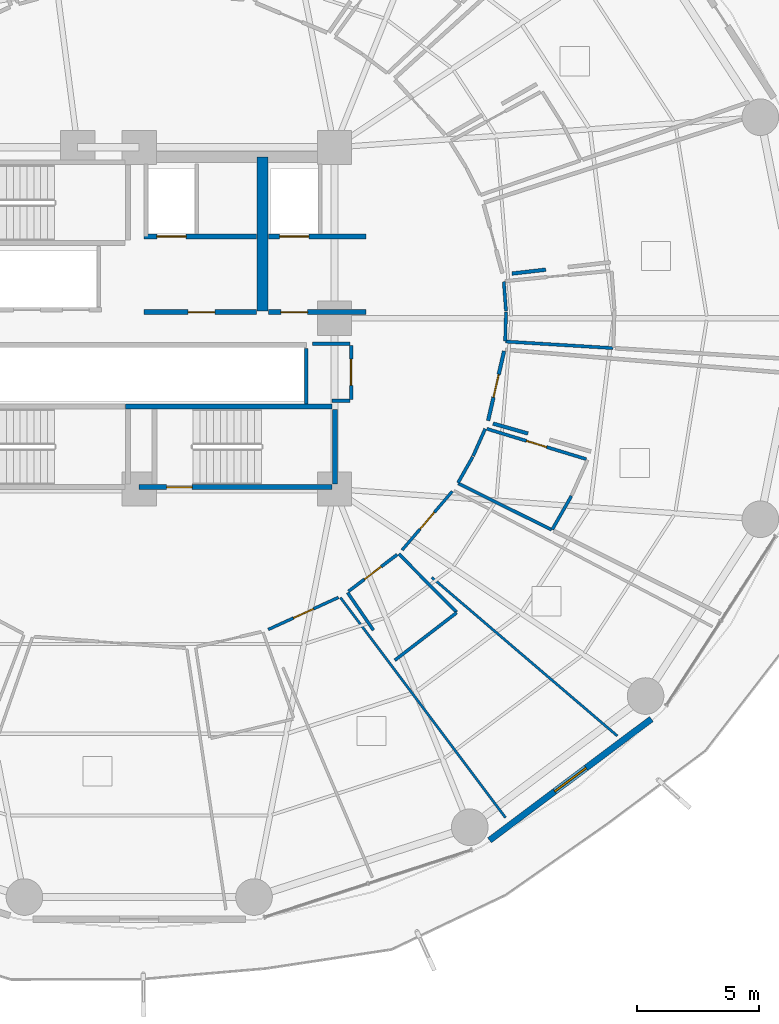
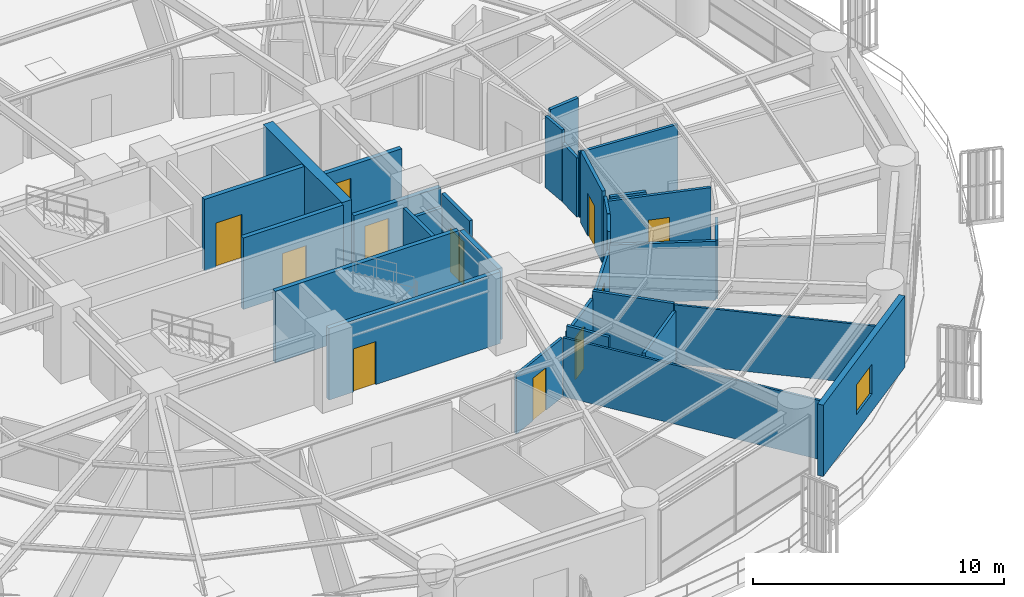
# One storey, part 24 of 32: 32 walls, 11 doors, 1 window, 12 openings.
"""IFC4 building model written with IfcOpenShell, lengths in metres."""

import ifcopenshell
import ifcopenshell.guid

model = None  # the IFC model being written
_history = None  # IfcOwnerHistory: only IFC2X3 demands one
_inside = {}  # id of a spatial element -> (the spatial element, [elements in it])
_under = {}  # id of a project, library or spatial element -> (it, [spatial elements below it])
_declared = {}  # id of a project -> (the project, [libraries it declares])
_typed = {}  # id of a type object -> (the type object, [elements of that type])
_made_of = {}  # id of a material, layer set ... -> (it, [elements and type objects made of it])


def new_model(schema):
    """Start an empty IFC model of exactly this schema.

    Asked for "IFC4X3", IfcOpenShell would pick the latest addendum, in which some entities
    have other attributes; the version numbers below select the first issue.
    IFC2X3 requires an IfcOwnerHistory on every rooted entity: one is made here for all.
    """
    global model, _history
    if schema == "IFC4X3":
        model = ifcopenshell.file(schema_version=(4, 3, 0, 0))
    else:
        model = ifcopenshell.file(schema=schema)
    _inside.clear()
    _under.clear()
    _declared.clear()
    _typed.clear()
    _made_of.clear()
    _history = None
    if model.schema == "IFC2X3":
        org = make("IfcOrganization", Name="unknown")
        user = make(
            "IfcPersonAndOrganization",
            ThePerson=make("IfcPerson", FamilyName="unknown"),
            TheOrganization=org,
        )
        app = make(
            "IfcApplication",
            ApplicationDeveloper=org,
            Version="unknown",
            ApplicationFullName="unknown",
            ApplicationIdentifier="unknown",
        )
        _history = make(
            "IfcOwnerHistory",
            OwningUser=user,
            OwningApplication=app,
            ChangeAction="ADDED",
            CreationDate=0,
        )
    return model


def make(cls, **values):
    """One entity of the class cls with the attributes given. An attribute that is None is left unset."""
    return model.create_entity(
        cls, **{name: value for name, value in values.items() if value is not None}
    )


def rooted(cls, **values):
    """An entity with a GlobalId (a new one), such as an element, a storey or a relation."""
    return make(cls, GlobalId=ifcopenshell.guid.new(), OwnerHistory=_history, **values)


def si_unit(unit_type, name, prefix=None):
    """IfcSIUnit, for example si_unit("LENGTHUNIT", "METRE", prefix="MILLI")."""
    return make("IfcSIUnit", UnitType=unit_type, Prefix=prefix, Name=name)


def assignment(units):
    """IfcUnitAssignment: the units of a project."""
    return None if units is None else make("IfcUnitAssignment", Units=units)


def point(xyz):
    """IfcCartesianPoint."""
    return None if xyz is None else make("IfcCartesianPoint", Coordinates=xyz)


def direction(xyz):
    """IfcDirection."""
    return None if xyz is None else make("IfcDirection", DirectionRatios=xyz)


def frame(location, z_axis=None, x_axis=None):
    """IfcAxis2Placement3D, a coordinate frame: its origin and axes. An axis left out is left unset."""
    return make(
        "IfcAxis2Placement3D",
        Location=point(location),
        Axis=direction(z_axis),
        RefDirection=direction(x_axis),
    )


def frame_2d(location, x_axis=None):
    """IfcAxis2Placement2D, a coordinate frame in the plane: its origin and x axis."""
    return make(
        "IfcAxis2Placement2D", Location=point(location), RefDirection=direction(x_axis)
    )


def origin():
    """The frame at (0, 0, 0) with its axes left unset."""
    return frame((0.0, 0.0, 0.0))


def place(relative_to, where):
    """IfcLocalPlacement: puts the frame where relative to a parent placement (None: the world)."""
    return make(
        "IfcLocalPlacement", PlacementRelTo=relative_to, RelativePlacement=where
    )


def context(
    kind, dimensions, precision=None, world=None, true_north=None, identifier=None
):
    """IfcGeometricRepresentationContext, for example the 3D "Model" context."""
    return make(
        "IfcGeometricRepresentationContext",
        ContextIdentifier=identifier,
        ContextType=kind,
        CoordinateSpaceDimension=dimensions,
        Precision=precision,
        WorldCoordinateSystem=world,
        TrueNorth=true_north,
    )


def subcontext(parent, identifier, kind, view, scale=None):
    """IfcGeometricRepresentationSubContext, for example "Body" below "Model"."""
    return make(
        "IfcGeometricRepresentationSubContext",
        ContextIdentifier=identifier,
        ContextType=kind,
        ParentContext=parent,
        TargetScale=scale,
        TargetView=view,
    )


def project(units=None, contexts=None):
    """IfcProject with its units and contexts."""
    return rooted(
        "IfcProject",
        Name="project",
        RepresentationContexts=contexts,
        UnitsInContext=assignment(units),
    )


def spatial(cls, under=None, at=None, **own):
    """A site, building, storey or space (cls), placed at a placement, below another one or the project."""
    s = rooted(cls, ObjectPlacement=at, **own)
    if under is not None:
        _under.setdefault(under.id(), (under, []))[1].append(s)
    return s


def profile(cls, at=None, kind="AREA", **sizes):
    """A parametric profile (cls). Its sizes go by their IFC names, for example OverallWidth=200.0."""
    return make(cls, ProfileType=kind, Position=at, **sizes)


def rectangle(**sizes):
    """IfcRectangleProfileDef."""
    return profile("IfcRectangleProfileDef", **sizes)


def extrude(swept, where, along, depth):
    """IfcExtrudedAreaSolid: the profile swept, set in the frame where, extruded along a direction by depth."""
    return make(
        "IfcExtrudedAreaSolid",
        SweptArea=swept,
        Position=where,
        ExtrudedDirection=direction(along),
        Depth=depth,
    )


def shape(context_of_items, identifier, shape_type, items):
    """IfcShapeRepresentation: the items that make up one representation, for example the "Body"."""
    return make(
        "IfcShapeRepresentation",
        ContextOfItems=context_of_items,
        RepresentationIdentifier=identifier,
        RepresentationType=shape_type,
        Items=items,
    )


def material(Name=None, Category=None):
    """IfcMaterial."""
    return make("IfcMaterial", Name=Name, Category=Category)


def layer(
    of_material, thickness, ventilated=None, Name=None, Category=None, Priority=None
):
    """IfcMaterialLayer: one layer of a wall or slab, of a material (None: an air gap)."""
    return make(
        "IfcMaterialLayer",
        Material=of_material,
        LayerThickness=thickness,
        IsVentilated=ventilated,
        Name=Name,
        Category=Category,
        Priority=Priority,
    )


def layer_set(layers, Name=None):
    """IfcMaterialLayerSet."""
    return make("IfcMaterialLayerSet", MaterialLayers=layers, LayerSetName=Name)


def made_of(thing, what):
    """Note that an element or type object is made of a material, layer set ...; save() writes the relation."""
    if what is not None:
        _made_of.setdefault(what.id(), (what, []))[1].append(thing)
    return thing


def type_object(cls, material=None, **own):
    """A type object (cls), such as IfcWallType, which elements share."""
    return made_of(rooted(cls, **own), material)


def element(
    cls,
    number,
    at=None,
    inside=None,
    cuts=None,
    type_object=None,
    material=None,
    context=None,
    identifier="Body",
    shape_type=None,
    held_by="IfcProductDefinitionShape",
    body=None,
    shapes=None,
    **own,
):
    """One element of the class cls, such as IfcWall. Its Tag is "e" and its number.

    at: its placement. inside: the storey or other place that contains it. cuts: it is an
    opening in that element (IfcRelVoidsElement). A single representation is given by context,
    identifier, shape_type and body (its items); several are given by shapes. held_by: the class
    of the entity that holds the representations. save() writes the other relations.
    """
    e = rooted(cls, Tag="e%d" % number, ObjectPlacement=at, **own)
    if body is not None:
        shapes = [shape(context, identifier, shape_type, body)]
    if shapes is not None:
        e.Representation = make(held_by, Representations=shapes)
    if inside is not None:
        _inside.setdefault(inside.id(), (inside, []))[1].append(e)
    if cuts is not None:
        rooted(
            "IfcRelVoidsElement", RelatingBuildingElement=cuts, RelatedOpeningElement=e
        )
    if type_object is not None:
        _typed.setdefault(type_object.id(), (type_object, []))[1].append(e)
    return made_of(e, material)


def fill(opening, filler):
    """IfcRelFillsElement: the door or window that sits in an opening."""
    return rooted(
        "IfcRelFillsElement",
        RelatingOpeningElement=opening,
        RelatedBuildingElement=filler,
    )


def aggregate(whole, parts):
    """IfcRelAggregates: a whole, such as a stair, and the parts it consists of."""
    return rooted("IfcRelAggregates", RelatingObject=whole, RelatedObjects=parts)


def save(model, path):
    """Write the relations noted so far, then the file.

    IfcRelAggregates (storeys below a building ...), IfcRelContainedInSpatialStructure (elements
    in a storey), IfcRelDefinesByType, IfcRelAssociatesMaterial and IfcRelDeclares: one each for
    every whole, place, type object, material and project.
    """
    for whole, parts in _under.values():
        aggregate(whole, parts)
    for where, things in _inside.values():
        rooted(
            "IfcRelContainedInSpatialStructure",
            RelatedElements=things,
            RelatingStructure=where,
        )
    for kind, things in _typed.values():
        rooted("IfcRelDefinesByType", RelatedObjects=things, RelatingType=kind)
    for what, things in _made_of.values():
        rooted("IfcRelAssociatesMaterial", RelatedObjects=things, RelatingMaterial=what)
    for by, libraries in _declared.values():
        rooted("IfcRelDeclares", RelatingContext=by, RelatedDefinitions=libraries)
    model.write(path)


model = new_model("IFC4")

# Units and contexts
model_context = context("Model", 3, precision=1e-05, world=origin(), true_north=direction((0.0, 1.0)))
body_context = subcontext(model_context, "Body", "Model", "MODEL_VIEW")
ifc_project = project(units=[si_unit("LENGTHUNIT", "METRE"), si_unit("AREAUNIT", "SQUARE_METRE"), si_unit("VOLUMEUNIT", "CUBIC_METRE"), si_unit("PLANEANGLEUNIT", "RADIAN"), si_unit("MASSUNIT", "GRAM", prefix="KILO")], contexts=[model_context])

# Site, building, storey
site_placement = place(None, origin())
site = spatial("IfcSite", under=ifc_project, at=site_placement, CompositionType="ELEMENT")
building_placement = place(site_placement, origin())
building = spatial("IfcBuilding", under=site, at=building_placement, Name="Kelanora Arch Commons", CompositionType="ELEMENT")
storey_placement = place(building_placement, frame((0.0, 0.0, 56.25)))
storey = spatial("IfcBuildingStorey", under=building, at=storey_placement, Name="L14", CompositionType="ELEMENT", Elevation=56.25)

# Wall
ifc_material_1 = material(Name="Autoclaved aerated concrete blockwork with fire plaster", Category="masonry")
ifc_layer_1 = layer(ifc_material_1, 0.14990234375)
ifc_layer_set_1 = layer_set([ifc_layer_1], Name="Autoclaved aerated concrete blockwork with fire plaster")
wall_type_1 = type_object("IfcWallType", Name="W-COMP-150", PredefinedType="PARTITIONING", material=ifc_layer_set_1)
wall_1_placement = place(storey_placement, frame((80.840087890625, 54.47998046875, 0.0), z_axis=(0.0, 0.0, 1.0), x_axis=(0.0, 1.0, 0.0)))
element("IfcWall", 1, at=wall_1_placement, inside=storey, type_object=wall_type_1, Name="South Lift Bank East Wall L14", PredefinedType="PARTITIONING", context=body_context, shape_type="SweptSolid", body=[
    extrude(rectangle(XDim=2.2900390625, YDim=0.14990234375, at=frame_2d((1.14501953125, 0.0))), origin(), (0.0, 0.0, 1.0), 3.47998046875),
])

# Wall, opening, door
wall_2_placement = place(storey_placement, frame((82.679931640625, 54.679931640625, 0.0), z_axis=(0.0, 0.0, 1.0), x_axis=(0.0, 1.0, 0.0)))
wall_2 = element("IfcWall", 2, at=wall_2_placement, inside=storey, type_object=wall_type_1, Name="Core Housekeeping Store L14 Entry Partition", PredefinedType="PARTITIONING", context=body_context, shape_type="SweptSolid", body=[
    extrude(rectangle(XDim=2.2099609375, YDim=0.14990234375, at=frame_2d((1.10498046875, 0.0))), origin(), (0.0, 0.0, 1.0), 3.47998046875),
])
opening_1_placement = place(wall_2_placement, frame((0.56494140625, 0.0, 0.0)))
opening_1 = element("IfcOpeningElement", 3, at=opening_1_placement, cuts=wall_2, Name="Opening D-PLT1", PredefinedType="OPENING", context=body_context, shape_type="SweptSolid", body=[
    extrude(rectangle(XDim=1.080078125, YDim=2.10009765625, at=frame_2d((0.5400390625, 1.050048828125))), frame((0.0, 0.0849609375, 0.0), z_axis=(0.0, -1.0, 0.0), x_axis=(1.0, 0.0, 0.0)), (0.0, 0.0, 1.0), 0.169921875),
])
ifc_material_2 = material(Name="Galvanised steel plant and riser fire door", Category="steel")
door_type_1 = type_object("IfcDoorType", Name="D-PLT-110", OperationType="NOTDEFINED", PredefinedType="DOOR", material=ifc_material_2)
door_1_placement = place(opening_1_placement, origin())
door_1 = element("IfcDoor", 4, at=door_1_placement, inside=storey, type_object=door_type_1, Name="Core Housekeeping Store L14 Door", OperationType="SINGLE_SWING_RIGHT", OverallHeight=2.10009765625, OverallWidth=1.080078125, PredefinedType="DOOR", context=body_context, shape_type="SweptSolid", body=[
    extrude(rectangle(XDim=1.080078125, YDim=2.10009765625, at=frame_2d((0.5400390625, 1.050048828125))), frame((0.0, 0.02490234375, 0.0), z_axis=(0.0, -1.0, 0.0), x_axis=(1.0, 0.0, 0.0)), (0.0, 0.0, 1.0), 0.050048828125),
])
fill(opening_1, door_1)

wall_3_placement = place(storey_placement, frame((88.29345703125, 53.805419921875, 0.0), z_axis=(0.0, 0.0, 1.0), x_axis=(0.224304671601, 0.974519068206, 0.0)))
wall_3 = element("IfcWall", 5, at=wall_3_placement, inside=storey, type_object=wall_type_1, Name="Co-Living Studio L14-13 Entry Partition", PredefinedType="PARTITIONING", context=body_context, shape_type="SweptSolid", body=[
    extrude(rectangle(XDim=2.924560546875, YDim=0.14990234375, at=frame_2d((1.46240234375, 0.0))), origin(), (0.0, 0.0, 1.0), 3.47998046875),
])
opening_2_placement = place(wall_3_placement, frame((0.987060546875, 0.0, 0.0)))
opening_2 = element("IfcOpeningElement", 6, at=opening_2_placement, cuts=wall_3, Name="Opening D-CLU1", PredefinedType="OPENING", context=body_context, shape_type="SweptSolid", body=[
    extrude(rectangle(XDim=0.949951171875, YDim=2.080078125, at=frame_2d((0.47509765625, 1.0400390625))), frame((0.0, 0.0849609375, 0.0), z_axis=(0.0, -1.0, 0.0), x_axis=(1.0, 0.0, 0.0)), (0.0, 0.0, 1.0), 0.169921875),
])
ifc_material_3 = material(Name="Solid-core acoustic timber cluster entry fire door", Category="wood")
door_type_2 = type_object("IfcDoorType", Name="D-CLU-95", OperationType="NOTDEFINED", PredefinedType="DOOR", material=ifc_material_3)
door_2_placement = place(opening_2_placement, origin())
door_2 = element("IfcDoor", 7, at=door_2_placement, inside=storey, type_object=door_type_2, Name="Co-Living Studio L14-13 Door", OperationType="SINGLE_SWING_RIGHT", OverallHeight=2.080078125, OverallWidth=0.949951171875, PredefinedType="DOOR", context=body_context, shape_type="SweptSolid", body=[
    extrude(rectangle(XDim=0.949951171875, YDim=2.080078125, at=frame_2d((0.47509765625, 1.0400390625))), frame((0.0, 0.02490234375, 0.0), z_axis=(0.0, -1.0, 0.0), x_axis=(1.0, 0.0, 0.0)), (0.0, 0.0, 1.0), 0.050048828125),
])
fill(opening_2, door_2)

# Walls
wall_4_placement = place(storey_placement, frame((81.89990234375, 54.6201171875, 0.0), z_axis=(0.0, 0.0, 1.0), x_axis=(1.0, 0.0, 0.0)))
element("IfcWall", 8, at=wall_4_placement, inside=storey, type_object=wall_type_1, Name="Core Housekeeping Store L14 Enclosure Partition 1", PredefinedType="PARTITIONING", context=body_context, shape_type="SweptSolid", body=[
    extrude(rectangle(XDim=0.739990234375, YDim=0.14990234375, at=frame_2d((0.3701171875, 0.0))), origin(), (0.0, 0.0, 1.0), 2.77490234375),
])
wall_5_placement = place(storey_placement, frame((82.639892578125, 56.949951171875, 0.0), z_axis=(0.0, 0.0, 1.0), x_axis=(-1.0, 0.0, 0.0)))
element("IfcWall", 9, at=wall_5_placement, inside=storey, type_object=wall_type_1, Name="Core Housekeeping Store L14 Enclosure Partition 3", PredefinedType="PARTITIONING", context=body_context, shape_type="SweptSolid", body=[
    extrude(rectangle(XDim=1.5498046875, YDim=0.14990234375, at=frame_2d((0.77490234375, 0.0))), origin(), (0.0, 0.0, 1.0), 2.77490234375),
])
wall_6_placement = place(storey_placement, frame((89.927978515625, 53.275634765625, 0.0), z_axis=(0.0, 0.0, 1.0), x_axis=(-0.961462019825, 0.27493778284, 0.0)))
element("IfcWall", 10, at=wall_6_placement, inside=storey, type_object=wall_type_1, Name="Co-Living Studio L14-13 Enclosure Partition 7", PredefinedType="PARTITIONING", context=body_context, shape_type="SweptSolid", body=[
    extrude(rectangle(XDim=1.48828125, YDim=0.14990234375, at=frame_2d((0.744140625, 0.0))), origin(), (0.0, 0.0, 1.0), 3.235107421875),
])
wall_7_placement = place(storey_placement, frame((90.65625, 59.9892578125, 0.0), z_axis=(0.0, 0.0, 1.0), x_axis=(-0.99343576075, -0.114391386311, 0.0)))
element("IfcWall", 11, at=wall_7_placement, inside=storey, type_object=wall_type_1, Name="Co-Living Studio L14-14 Enclosure Partition 7", PredefinedType="PARTITIONING", context=body_context, shape_type="SweptSolid", body=[
    extrude(rectangle(XDim=1.3935546875, YDim=0.14990234375, at=frame_2d((0.69677734375, 0.0))), origin(), (0.0, 0.0, 1.0), 3.47998046875),
])
ifc_material_4 = material(Name="Concrete C60/75", Category="concrete")
ifc_layer_2 = layer(ifc_material_4, 0.449951171875)
ifc_layer_set_2 = layer_set([ifc_layer_2], Name="Concrete C60/75")
wall_type_2 = type_object("IfcWallType", Name="W-CORE-450", PredefinedType="SHEAR", material=ifc_layer_set_2)
wall_8_placement = place(storey_placement, frame((79.050048828125, 58.300048828125, 0.0), z_axis=(0.0, 0.0, 1.0), x_axis=(0.0, 1.0, 0.0)))
element("IfcWall", 12, at=wall_8_placement, inside=storey, type_object=wall_type_2, Name="Core Shear Spine L14-CE-N", PredefinedType="SHEAR", context=body_context, shape_type="SweptSolid", body=[
    extrude(rectangle(XDim=6.300048828125, YDim=0.449951171875, at=frame_2d((3.14990234375, 0.0))), origin(), (0.0, 0.0, 1.0), 3.489990234375),
])

# Wall, opening, window
ifc_material_5 = material(Name="Precast concrete C40/50 with terracotta rainscreen", Category="masonry")
ifc_layer_3 = layer(ifc_material_5, 0.260009765625)
ifc_layer_set_3 = layer_set([ifc_layer_3], Name="Precast concrete C40/50 with terracotta rainscreen")
wall_type_3 = type_object("IfcWallType", Name="W-EXT-TC", PredefinedType="SOLIDWALL", material=ifc_layer_set_3)
wall_9_placement = place(storey_placement, frame((88.348876953125, 36.61083984375, 0.0), z_axis=(0.0, 0.0, 1.0), x_axis=(0.80030733173, 0.599590005569, 0.0)))
wall_9 = element("IfcWall", 13, at=wall_9_placement, inside=storey, type_object=wall_type_3, Name="Terracotta Exterior Wall L14-B15", PredefinedType="SOLIDWALL", context=body_context, shape_type="SweptSolid", body=[
    extrude(rectangle(XDim=8.29052734375, YDim=0.260009765625, at=frame_2d((4.145263671875, 0.0))), origin(), (0.0, 0.0, 1.0), 3.47509765625),
])
opening_3_placement = place(wall_9_placement, frame((3.344970703125, 0.0, 0.85009765625)))
opening_3 = element("IfcOpeningElement", 14, at=opening_3_placement, cuts=wall_9, Name="Opening WN-01", PredefinedType="OPENING", context=body_context, shape_type="SweptSolid", body=[
    extrude(rectangle(XDim=1.60009765625, YDim=1.449951171875, at=frame_2d((0.800048828125, 0.72509765625))), frame((0.0, 0.14013671875, 0.0), z_axis=(0.0, -1.0, 0.0), x_axis=(1.0, 0.0, 0.0)), (0.0, 0.0, 1.0), 0.280029296875),
])
ifc_material_6 = material(Name="Terracotta-anodised aluminium frame with operable low-E glazing", Category="masonry")
window_type = type_object("IfcWindowType", Name="WIN-CL-18", PartitioningType="DOUBLE_PANEL_VERTICAL", PredefinedType="WINDOW", material=ifc_material_6)
window_placement = place(opening_3_placement, origin())
window = element("IfcWindow", 15, at=window_placement, inside=storey, type_object=window_type, Name="Co-Living Operable Window L14-B15", OverallHeight=1.449951171875, OverallWidth=1.60009765625, PartitioningType="SINGLE_PANEL", PredefinedType="WINDOW", context=body_context, shape_type="SweptSolid", body=[
    extrude(rectangle(XDim=1.60009765625, YDim=1.449951171875, at=frame_2d((0.800048828125, 0.72509765625))), frame((0.0, 0.030029296875, 0.0), z_axis=(0.0, -1.0, 0.0), x_axis=(1.0, 0.0, 0.0)), (0.0, 0.0, 1.0), 0.06005859375),
])
fill(opening_3, window)

# Wall, opening, door
ifc_material_7 = material(Name="Concrete C40/50", Category="concrete")
ifc_layer_4 = layer(ifc_material_7, 0.199951171875)
ifc_layer_set_4 = layer_set([ifc_layer_4], Name="Concrete C40/50")
wall_type_4 = type_object("IfcWallType", Name="W-FFL-200", PredefinedType="SOLIDWALL", material=ifc_layer_set_4)
wall_10_placement = place(storey_placement, frame((74.199951171875, 61.35009765625, 0.0), z_axis=(0.0, 0.0, 1.0), x_axis=(1.0, 0.0, 0.0)))
wall_10 = element("IfcWall", 16, at=wall_10_placement, inside=storey, type_object=wall_type_4, Name="Firefighting Lift 1 Shaft Front L14", PredefinedType="SOLIDWALL", context=body_context, shape_type="SweptSolid", body=[
    extrude(rectangle(XDim=4.60009765625, YDim=0.199951171875, at=frame_2d((2.300048828125, 0.0))), origin(), (0.0, 0.0, 1.0), 3.47998046875),
])
opening_4_placement = place(wall_10_placement, frame((0.52001953125, 0.0, 0.0)))
opening_4 = element("IfcOpeningElement", 17, at=opening_4_placement, cuts=wall_10, Name="Opening LD-FF", PredefinedType="OPENING", context=body_context, shape_type="SweptSolid", body=[
    extrude(rectangle(XDim=1.199951171875, YDim=2.14990234375, at=frame_2d((0.60009765625, 1.074951171875))), frame((0.0, 0.10986328125, 0.0), z_axis=(0.0, -1.0, 0.0), x_axis=(1.0, 0.0, 0.0)), (0.0, 0.0, 1.0), 0.219970703125),
])
ifc_material_8 = material(Name="Fire-rated firefighters lift sliding landing door")
door_type_3 = type_object("IfcDoorType", Name="D-LIFT-FF", OperationType="NOTDEFINED", PredefinedType="DOOR", material=ifc_material_8)
door_3_placement = place(opening_4_placement, origin())
door_3 = element("IfcDoor", 18, at=door_3_placement, inside=storey, type_object=door_type_3, Name="Firefighting Lift LF-FF1 Landing Door L14", OperationType="DOUBLE_DOOR_SLIDING", OverallHeight=2.14990234375, OverallWidth=1.199951171875, PredefinedType="DOOR", context=body_context, shape_type="SweptSolid", body=[
    extrude(rectangle(XDim=1.199951171875, YDim=2.14990234375, at=frame_2d((0.60009765625, 1.074951171875))), frame((0.0, 0.02490234375, 0.0), z_axis=(0.0, -1.0, 0.0), x_axis=(1.0, 0.0, 0.0)), (0.0, 0.0, 1.0), 0.050048828125),
])
fill(opening_4, door_3)

wall_11_placement = place(storey_placement, frame((79.300048828125, 61.35009765625, 0.0), z_axis=(0.0, 0.0, 1.0), x_axis=(1.0, 0.0, 0.0)))
wall_11 = element("IfcWall", 19, at=wall_11_placement, inside=storey, type_object=wall_type_4, Name="Firefighting Lift 2 Shaft Front L14", PredefinedType="SOLIDWALL", context=body_context, shape_type="SweptSolid", body=[
    extrude(rectangle(XDim=4.0, YDim=0.199951171875, at=frame_2d((2.0, 0.0))), origin(), (0.0, 0.0, 1.0), 2.77490234375),
])
opening_5_placement = place(wall_11_placement, frame((0.449951171875, 0.0, 0.0)))
opening_5 = element("IfcOpeningElement", 20, at=opening_5_placement, cuts=wall_11, Name="Opening LD-FF", PredefinedType="OPENING", context=body_context, shape_type="SweptSolid", body=[
    extrude(rectangle(XDim=1.199951171875, YDim=2.14990234375, at=frame_2d((0.60009765625, 1.074951171875))), frame((0.0, 0.10986328125, 0.0), z_axis=(0.0, -1.0, 0.0), x_axis=(1.0, 0.0, 0.0)), (0.0, 0.0, 1.0), 0.219970703125),
])
door_4_placement = place(opening_5_placement, origin())
door_4 = element("IfcDoor", 21, at=door_4_placement, inside=storey, type_object=door_type_3, Name="Firefighting Lift LF-FF2 Landing Door L14", OperationType="DOUBLE_DOOR_SLIDING", OverallHeight=2.14990234375, OverallWidth=1.199951171875, PredefinedType="DOOR", context=body_context, shape_type="SweptSolid", body=[
    extrude(rectangle(XDim=1.199951171875, YDim=2.14990234375, at=frame_2d((0.60009765625, 1.074951171875))), frame((0.0, 0.02490234375, 0.0), z_axis=(0.0, -1.0, 0.0), x_axis=(1.0, 0.0, 0.0)), (0.0, 0.0, 1.0), 0.050048828125),
])
fill(opening_5, door_4)

wall_12_placement = place(storey_placement, frame((74.199951171875, 58.25, 0.0), z_axis=(0.0, 0.0, 1.0), x_axis=(1.0, 0.0, 0.0)))
wall_12 = element("IfcWall", 22, at=wall_12_placement, inside=storey, type_object=wall_type_4, Name="Firefighting Lobby 1 Enclosure Wall L14", PredefinedType="SOLIDWALL", context=body_context, shape_type="SweptSolid", body=[
    extrude(rectangle(XDim=4.60009765625, YDim=0.199951171875, at=frame_2d((2.300048828125, 0.0))), origin(), (0.0, 0.0, 1.0), 3.47998046875),
])
opening_6_placement = place(wall_12_placement, frame((1.800048828125, 0.0, 0.0)))
opening_6 = element("IfcOpeningElement", 23, at=opening_6_placement, cuts=wall_12, Name="Opening D-FFL1", PredefinedType="OPENING", context=body_context, shape_type="SweptSolid", body=[
    extrude(rectangle(XDim=1.10009765625, YDim=2.10009765625, at=frame_2d((0.550048828125, 1.050048828125))), frame((0.0, 0.10986328125, 0.0), z_axis=(0.0, -1.0, 0.0), x_axis=(1.0, 0.0, 0.0)), (0.0, 0.0, 1.0), 0.219970703125),
])
ifc_material_9 = material(Name="Smoke-sealed firefighting lobby fire door")
door_type_4 = type_object("IfcDoorType", Name="D-FFL-110", OperationType="NOTDEFINED", PredefinedType="DOOR", material=ifc_material_9)
door_5_placement = place(opening_6_placement, frame((1.10009765625, 0.0, 0.0), z_axis=(0.0, 0.0, 1.0), x_axis=(-1.0, 0.0, 0.0)))
door_5 = element("IfcDoor", 24, at=door_5_placement, inside=storey, type_object=door_type_4, Name="Firefighting Lobby 1 Door L14", OperationType="SINGLE_SWING_LEFT", OverallHeight=2.10009765625, OverallWidth=1.10009765625, PredefinedType="DOOR", context=body_context, shape_type="SweptSolid", body=[
    extrude(rectangle(XDim=1.10009765625, YDim=2.10009765625, at=frame_2d((0.550048828125, 1.050048828125))), frame((0.0, 0.02490234375, 0.0), z_axis=(0.0, -1.0, 0.0), x_axis=(1.0, 0.0, 0.0)), (0.0, 0.0, 1.0), 0.050048828125),
])
fill(opening_6, door_5)

wall_13_placement = place(storey_placement, frame((79.300048828125, 58.25, 0.0), z_axis=(0.0, 0.0, 1.0), x_axis=(1.0, 0.0, 0.0)))
wall_13 = element("IfcWall", 25, at=wall_13_placement, inside=storey, type_object=wall_type_4, Name="Firefighting Lobby 2 Enclosure Wall L14", PredefinedType="SOLIDWALL", context=body_context, shape_type="SweptSolid", body=[
    extrude(rectangle(XDim=4.0, YDim=0.199951171875, at=frame_2d((2.0, 0.0))), origin(), (0.0, 0.0, 1.0), 2.77490234375),
])
opening_7_placement = place(wall_13_placement, frame((0.5, 0.0, 0.0)))
opening_7 = element("IfcOpeningElement", 26, at=opening_7_placement, cuts=wall_13, Name="Opening D-FFL1", PredefinedType="OPENING", context=body_context, shape_type="SweptSolid", body=[
    extrude(rectangle(XDim=1.10009765625, YDim=2.10009765625, at=frame_2d((0.550048828125, 1.050048828125))), frame((0.0, 0.10986328125, 0.0), z_axis=(0.0, -1.0, 0.0), x_axis=(1.0, 0.0, 0.0)), (0.0, 0.0, 1.0), 0.219970703125),
])
door_6_placement = place(opening_7_placement, frame((1.10009765625, 0.0, 0.0), z_axis=(0.0, 0.0, 1.0), x_axis=(-1.0, 0.0, 0.0)))
door_6 = element("IfcDoor", 27, at=door_6_placement, inside=storey, type_object=door_type_4, Name="Firefighting Lobby 2 Door L14", OperationType="SINGLE_SWING_RIGHT", OverallHeight=2.10009765625, OverallWidth=1.10009765625, PredefinedType="DOOR", context=body_context, shape_type="SweptSolid", body=[
    extrude(rectangle(XDim=1.10009765625, YDim=2.10009765625, at=frame_2d((0.550048828125, 1.050048828125))), frame((0.0, 0.02490234375, 0.0), z_axis=(0.0, -1.0, 0.0), x_axis=(1.0, 0.0, 0.0)), (0.0, 0.0, 1.0), 0.050048828125),
])
fill(opening_7, door_6)

# Walls
ifc_material_10 = material(Name="Lightweight fire-rated acoustic stud partition")
ifc_layer_5 = layer(ifc_material_10, 0.10009765625)
ifc_layer_set_5 = layer_set([ifc_layer_5], Name="Lightweight fire-rated acoustic stud partition")
wall_type_5 = type_object("IfcWallType", Name="W-PART-100", PredefinedType="PARTITIONING", material=ifc_layer_set_5)
wall_14_placement = place(storey_placement, frame((82.243896484375, 46.556884765625, 0.0), z_axis=(0.0, 0.0, 1.0), x_axis=(0.599892569248, -0.800080561794, 0.0)))
element("IfcWall", 28, at=wall_14_placement, inside=storey, type_object=wall_type_5, Name="Quiet Reading Carrel L14-11 Enclosure Partition 2", PredefinedType="PARTITIONING", context=body_context, shape_type="SweptSolid", body=[
    extrude(rectangle(XDim=11.2724609375, YDim=0.10009765625, at=frame_2d((5.63623046875, 0.0))), origin(), (0.0, 0.0, 1.0), 2.875),
])
wall_15_placement = place(storey_placement, frame((93.588623046875, 40.885009765625, 0.0), z_axis=(0.0, 0.0, 1.0), x_axis=(-0.760200523841, 0.649688512713, 0.0)))
element("IfcWall", 29, at=wall_15_placement, inside=storey, type_object=wall_type_5, Name="Tutorial Study Alcove L14-12 Enclosure Partition 4", PredefinedType="PARTITIONING", context=body_context, shape_type="SweptSolid", body=[
    extrude(rectangle(XDim=9.99658203125, YDim=0.10009765625, at=frame_2d((4.998291015625, 0.0))), origin(), (0.0, 0.0, 1.0), 2.875),
])

# Wall, opening, door
ifc_material_11 = material(Name="Acoustic twin-stud fire-rated gypsum partition")
ifc_layer_6 = layer(ifc_material_11, 0.1201171875)
ifc_layer_set_6 = layer_set([ifc_layer_6], Name="Acoustic twin-stud fire-rated gypsum partition")
wall_type_6 = type_object("IfcWallType", Name="W-PART-120", PredefinedType="PARTITIONING", material=ifc_layer_set_6)
wall_16_placement = place(storey_placement, frame((79.28759765625, 45.248046875, 0.0), z_axis=(0.0, 0.0, 1.0), x_axis=(0.909426123825, 0.415865513483, 0.0)))
wall_16 = element("IfcWall", 30, at=wall_16_placement, inside=storey, type_object=wall_type_6, Name="Quiet Reading Carrel L14-11 Entry Partition", PredefinedType="PARTITIONING", context=body_context, shape_type="SweptSolid", body=[
    extrude(rectangle(XDim=3.164306640625, YDim=0.1201171875, at=frame_2d((1.58203125, 0.0))), origin(), (0.0, 0.0, 1.0), 2.875),
])
opening_8_placement = place(wall_16_placement, frame((1.132080078125, 0.0, 0.0)))
opening_8 = element("IfcOpeningElement", 31, at=opening_8_placement, cuts=wall_16, Name="Opening D-RM1", PredefinedType="OPENING", context=body_context, shape_type="SweptSolid", body=[
    extrude(rectangle(XDim=0.89990234375, YDim=2.080078125, at=frame_2d((0.449951171875, 1.0400390625))), frame((0.0, 0.070068359375, 0.0), z_axis=(0.0, -1.0, 0.0), x_axis=(1.0, 0.0, 0.0)), (0.0, 0.0, 1.0), 0.14013671875),
])
ifc_material_12 = material(Name="Acoustic fire-rated timber study and lounge door", Category="wood")
door_type_5 = type_object("IfcDoorType", Name="D-ROOM-90", OperationType="NOTDEFINED", PredefinedType="DOOR", material=ifc_material_12)
door_7_placement = place(opening_8_placement, origin())
door_7 = element("IfcDoor", 32, at=door_7_placement, inside=storey, type_object=door_type_5, Name="Quiet Reading Carrel L14-11 Door", OperationType="SINGLE_SWING_RIGHT", OverallHeight=2.080078125, OverallWidth=0.89990234375, PredefinedType="DOOR", context=body_context, shape_type="SweptSolid", body=[
    extrude(rectangle(XDim=0.89990234375, YDim=2.080078125, at=frame_2d((0.449951171875, 1.0400390625))), frame((0.0, 0.02490234375, 0.0), z_axis=(0.0, -1.0, 0.0), x_axis=(1.0, 0.0, 0.0)), (0.0, 0.0, 1.0), 0.050048828125),
])
fill(opening_8, door_7)

wall_17_placement = place(storey_placement, frame((84.76904296875, 48.501708984375, 0.0), z_axis=(0.0, 0.0, 1.0), x_axis=(0.649870238328, 0.760045178483, 0.0)))
wall_17 = element("IfcWall", 33, at=wall_17_placement, inside=storey, type_object=wall_type_6, Name="Tutorial Study Alcove L14-12 Entry Partition", PredefinedType="PARTITIONING", context=body_context, shape_type="SweptSolid", body=[
    extrude(rectangle(XDim=3.16650390625, YDim=0.1201171875, at=frame_2d((1.583251953125, 0.0))), origin(), (0.0, 0.0, 1.0), 2.875),
])
opening_9_placement = place(wall_17_placement, frame((1.133056640625, 0.0, 0.0)))
opening_9 = element("IfcOpeningElement", 34, at=opening_9_placement, cuts=wall_17, Name="Opening D-RM1", PredefinedType="OPENING", context=body_context, shape_type="SweptSolid", body=[
    extrude(rectangle(XDim=0.89990234375, YDim=2.080078125, at=frame_2d((0.449951171875, 1.0400390625))), frame((0.0, 0.070068359375, 0.0), z_axis=(0.0, -1.0, 0.0), x_axis=(1.0, 0.0, 0.0)), (0.0, 0.0, 1.0), 0.14013671875),
])
door_8_placement = place(opening_9_placement, origin())
door_8 = element("IfcDoor", 35, at=door_8_placement, inside=storey, type_object=door_type_5, Name="Tutorial Study Alcove L14-12 Door", OperationType="SINGLE_SWING_RIGHT", OverallHeight=2.080078125, OverallWidth=0.89990234375, PredefinedType="DOOR", context=body_context, shape_type="SweptSolid", body=[
    extrude(rectangle(XDim=0.89990234375, YDim=2.080078125, at=frame_2d((0.449951171875, 1.0400390625))), frame((0.0, 0.02490234375, 0.0), z_axis=(0.0, -1.0, 0.0), x_axis=(1.0, 0.0, 0.0)), (0.0, 0.0, 1.0), 0.050048828125),
])
fill(opening_9, door_8)

ifc_layer_7 = layer(ifc_material_7, 0.199951171875)
ifc_layer_set_7 = layer_set([ifc_layer_7], Name="Concrete C40/50")
wall_type_7 = type_object("IfcWallType", Name="W-STAIR-200", PredefinedType="SHEAR", material=ifc_layer_set_7)
wall_18_placement = place(storey_placement, frame((74.0, 51.080078125, 0.0), z_axis=(0.0, 0.0, 1.0), x_axis=(1.0, 0.0, 0.0)))
wall_18 = element("IfcWall", 36, at=wall_18_placement, inside=storey, type_object=wall_type_7, Name="Stair ST-T2 Shaft Wall S L14", PredefinedType="SHEAR", context=body_context, shape_type="SweptSolid", body=[
    extrude(rectangle(XDim=7.89990234375, YDim=0.199951171875, at=frame_2d((3.949951171875, 0.0))), origin(), (0.0, 0.0, 1.0), 3.489990234375),
])
opening_10_placement = place(wall_18_placement, frame((1.1201171875, 0.0, 0.0)))
opening_10 = element("IfcOpeningElement", 37, at=opening_10_placement, cuts=wall_18, Name="Opening D-ST1", PredefinedType="OPENING", context=body_context, shape_type="SweptSolid", body=[
    extrude(rectangle(XDim=1.050048828125, YDim=2.10009765625, at=frame_2d((0.52490234375, 1.050048828125))), frame((0.0, 0.10986328125, 0.0), z_axis=(0.0, -1.0, 0.0), x_axis=(1.0, 0.0, 0.0)), (0.0, 0.0, 1.0), 0.219970703125),
])
ifc_material_13 = material(Name="Steel fire-rated stairwell escape door", Category="steel")
door_type_6 = type_object("IfcDoorType", Name="D-STAIR-110", OperationType="NOTDEFINED", PredefinedType="DOOR", material=ifc_material_13)
door_9_placement = place(opening_10_placement, origin())
door_9 = element("IfcDoor", 38, at=door_9_placement, inside=storey, type_object=door_type_6, Name="Stair ST-T2 Escape Door L14", OperationType="SINGLE_SWING_LEFT", OverallHeight=2.10009765625, OverallWidth=1.050048828125, PredefinedType="DOOR", context=body_context, shape_type="SweptSolid", body=[
    extrude(rectangle(XDim=1.050048828125, YDim=2.10009765625, at=frame_2d((0.52490234375, 1.050048828125))), frame((0.0, 0.02490234375, 0.0), z_axis=(0.0, -1.0, 0.0), x_axis=(1.0, 0.0, 0.0)), (0.0, 0.0, 1.0), 0.050048828125),
])
fill(opening_10, door_9)

# Walls
wall_19_placement = place(storey_placement, frame((82.02001953125, 51.199951171875, 0.0), z_axis=(0.0, 0.0, 1.0), x_axis=(0.0, 1.0, 0.0)))
element("IfcWall", 39, at=wall_19_placement, inside=storey, type_object=wall_type_7, Name="Stair ST-T2 Shaft Wall E L14", PredefinedType="SHEAR", context=body_context, shape_type="SweptSolid", body=[
    extrude(rectangle(XDim=3.070068359375, YDim=0.199951171875, at=frame_2d((1.53515625, 0.0))), origin(), (0.0, 0.0, 1.0), 3.489990234375),
])
wall_20_placement = place(storey_placement, frame((81.89990234375, 54.389892578125, 0.0), z_axis=(0.0, 0.0, 1.0), x_axis=(-1.0, 0.0, 0.0)))
element("IfcWall", 40, at=wall_20_placement, inside=storey, type_object=wall_type_7, Name="Stair ST-T2 Shaft Wall N L14", PredefinedType="SHEAR", context=body_context, shape_type="SweptSolid", body=[
    extrude(rectangle(XDim=8.4599609375, YDim=0.199951171875, at=frame_2d((4.22998046875, 0.0))), origin(), (0.0, 0.0, 1.0), 3.489990234375),
])

# Wall, opening, door
ifc_material_14 = material(Name="Moisture-resistant fire-rated cement-board plumbing wall")
ifc_layer_8 = layer(ifc_material_14, 0.1298828125)
ifc_layer_set_8 = layer_set([ifc_layer_8], Name="Moisture-resistant fire-rated cement-board plumbing wall")
wall_type_8 = type_object("IfcWallType", Name="W-WET-120", PredefinedType="PLUMBINGWALL", material=ifc_layer_set_8)
wall_21_placement = place(storey_placement, frame((82.572998046875, 46.81103515625, 0.0), z_axis=(0.0, 0.0, 1.0), x_axis=(0.7983589592, 0.602181843188, 0.0)))
wall_21 = element("IfcWall", 41, at=wall_21_placement, inside=storey, type_object=wall_type_8, Name="Accessible Shared Floor WC L14-12 Entry Partition", PredefinedType="PLUMBINGWALL", context=body_context, shape_type="SweptSolid", body=[
    extrude(rectangle(XDim=2.50390625, YDim=0.1298828125, at=frame_2d((1.251953125, 0.0))), origin(), (0.0, 0.0, 1.0), 2.875),
])
opening_11_placement = place(wall_21_placement, frame((0.822021484375, 0.0, 0.0)))
opening_11 = element("IfcOpeningElement", 42, at=opening_11_placement, cuts=wall_21, Name="Opening D-BT1", PredefinedType="OPENING", context=body_context, shape_type="SweptSolid", body=[
    extrude(rectangle(XDim=0.860107421875, YDim=2.050048828125, at=frame_2d((0.43017578125, 1.02490234375))), frame((0.0, 0.074951171875, 0.0), z_axis=(0.0, -1.0, 0.0), x_axis=(1.0, 0.0, 0.0)), (0.0, 0.0, 1.0), 0.14990234375),
])
ifc_material_15 = material(Name="Moisture-sealed fire-rated accessible bathroom door")
door_type_7 = type_object("IfcDoorType", Name="D-BATH-85", OperationType="NOTDEFINED", PredefinedType="DOOR", material=ifc_material_15)
door_10_placement = place(opening_11_placement, origin())
door_10 = element("IfcDoor", 43, at=door_10_placement, inside=storey, type_object=door_type_7, Name="Accessible Shared Floor WC L14-12 Door", OperationType="SINGLE_SWING_LEFT", OverallHeight=2.050048828125, OverallWidth=0.860107421875, PredefinedType="DOOR", context=body_context, shape_type="SweptSolid", body=[
    extrude(rectangle(XDim=0.860107421875, YDim=2.050048828125, at=frame_2d((0.43017578125, 1.02490234375))), frame((0.0, 0.02490234375, 0.0), z_axis=(0.0, -1.0, 0.0), x_axis=(1.0, 0.0, 0.0)), (0.0, 0.0, 1.0), 0.050048828125),
])
fill(opening_11, door_10)

wall_22_placement = place(storey_placement, frame((88.240478515625, 53.470458984375, 0.0), z_axis=(0.0, 0.0, 1.0), x_axis=(0.956456460619, -0.291875039941, 0.0)))
wall_22 = element("IfcWall", 44, at=wall_22_placement, inside=storey, type_object=wall_type_8, Name="En-Suite Shower WC L14-13 Entry Partition", PredefinedType="PLUMBINGWALL", context=body_context, shape_type="SweptSolid", body=[
    extrude(rectangle(XDim=4.26171875, YDim=0.1298828125, at=frame_2d((2.130859375, 0.0))), origin(), (0.0, 0.0, 1.0), 3.235107421875),
])
opening_12_placement = place(wall_22_placement, frame((1.700927734375, 0.0, 0.0)))
opening_12 = element("IfcOpeningElement", 45, at=opening_12_placement, cuts=wall_22, Name="Opening D-BT1", PredefinedType="OPENING", context=body_context, shape_type="SweptSolid", body=[
    extrude(rectangle(XDim=0.860107421875, YDim=2.050048828125, at=frame_2d((0.43017578125, 1.02490234375))), frame((0.0, 0.074951171875, 0.0), z_axis=(0.0, -1.0, 0.0), x_axis=(1.0, 0.0, 0.0)), (0.0, 0.0, 1.0), 0.14990234375),
])
door_11_placement = place(opening_12_placement, origin())
door_11 = element("IfcDoor", 46, at=door_11_placement, inside=storey, type_object=door_type_7, Name="En-Suite Shower WC L14-13 Door", OperationType="SINGLE_SWING_LEFT", OverallHeight=2.050048828125, OverallWidth=0.860107421875, PredefinedType="DOOR", context=body_context, shape_type="SweptSolid", body=[
    extrude(rectangle(XDim=0.860107421875, YDim=2.050048828125, at=frame_2d((0.43017578125, 1.02490234375))), frame((0.0, 0.02490234375, 0.0), z_axis=(0.0, -1.0, 0.0), x_axis=(1.0, 0.0, 0.0)), (0.0, 0.0, 1.0), 0.050048828125),
])
fill(opening_12, door_11)

# Walls
wall_23_placement = place(storey_placement, frame((84.634033203125, 48.3408203125, 0.0), z_axis=(0.0, 0.0, 1.0), x_axis=(0.706525219412, -0.707687865047, 0.0)))
element("IfcWall", 47, at=wall_23_placement, inside=storey, type_object=wall_type_8, Name="Accessible Shared Floor WC L14-12 Enclosure Partition 2", PredefinedType="PLUMBINGWALL", context=body_context, shape_type="SweptSolid", body=[
    extrude(rectangle(XDim=3.35986328125, YDim=0.1298828125, at=frame_2d((1.679931640625, 0.0))), origin(), (0.0, 0.0, 1.0), 3.235107421875),
])
wall_24_placement = place(storey_placement, frame((87.006103515625, 45.936767578125, 0.0), z_axis=(0.0, 0.0, 1.0), x_axis=(-0.792836735531, -0.609434090606, 0.0)))
element("IfcWall", 48, at=wall_24_placement, inside=storey, type_object=wall_type_8, Name="Accessible Shared Floor WC L14-12 Enclosure Partition 3", PredefinedType="PLUMBINGWALL", context=body_context, shape_type="SweptSolid", body=[
    extrude(rectangle(XDim=3.19873046875, YDim=0.1298828125, at=frame_2d((1.599365234375, 0.0))), origin(), (0.0, 0.0, 1.0), 2.875),
])
wall_25_placement = place(storey_placement, frame((83.59521484375, 45.221435546875, 0.0), z_axis=(0.0, 0.0, 1.0), x_axis=(-0.567283552716, 0.823522538136, 0.0)))
element("IfcWall", 49, at=wall_25_placement, inside=storey, type_object=wall_type_8, Name="Accessible Shared Floor WC L14-12 Enclosure Partition 4", PredefinedType="PLUMBINGWALL", context=body_context, shape_type="SweptSolid", body=[
    extrude(rectangle(XDim=1.866455078125, YDim=0.1298828125, at=frame_2d((0.93310546875, 0.0))), origin(), (0.0, 0.0, 1.0), 3.235107421875),
])
wall_26_placement = place(storey_placement, frame((87.061767578125, 51.25830078125, 0.0), z_axis=(0.0, 0.0, 1.0), x_axis=(0.492353040676, 0.870395590141, 0.0)))
element("IfcWall", 50, at=wall_26_placement, inside=storey, type_object=wall_type_8, Name="En-Suite Shower WC L14-13 Enclosure Partition 1", PredefinedType="PLUMBINGWALL", context=body_context, shape_type="SweptSolid", body=[
    extrude(rectangle(XDim=1.223876953125, YDim=0.1298828125, at=frame_2d((0.61181640625, 0.0))), origin(), (0.0, 0.0, 1.0), 3.47998046875),
])
wall_27_placement = place(storey_placement, frame((87.68212890625, 52.359375, 0.0), z_axis=(0.0, 0.0, 1.0), x_axis=(0.405578959261, 0.91406001324, 0.0)))
element("IfcWall", 51, at=wall_27_placement, inside=storey, type_object=wall_type_8, Name="En-Suite Shower WC L14-13 Enclosure Partition 2", PredefinedType="PLUMBINGWALL", context=body_context, shape_type="SweptSolid", body=[
    extrude(rectangle(XDim=1.21484375, YDim=0.1298828125, at=frame_2d((0.607421875, 0.0))), origin(), (0.0, 0.0, 1.0), 3.47998046875),
])
wall_28_placement = place(storey_placement, frame((91.705078125, 50.718505859375, 0.0), z_axis=(0.0, 0.0, 1.0), x_axis=(-0.495740967081, -0.868470433324, 0.0)))
element("IfcWall", 52, at=wall_28_placement, inside=storey, type_object=wall_type_8, Name="En-Suite Shower WC L14-13 Enclosure Partition 5", PredefinedType="PLUMBINGWALL", context=body_context, shape_type="SweptSolid", body=[
    extrude(rectangle(XDim=1.585693359375, YDim=0.1298828125, at=frame_2d((0.79296875, 0.0))), origin(), (0.0, 0.0, 1.0), 2.875),
])
wall_29_placement = place(storey_placement, frame((90.89111328125, 49.3330078125, 0.0), z_axis=(0.0, 0.0, 1.0), x_axis=(-0.895500211225, 0.4450610876, 0.0)))
element("IfcWall", 53, at=wall_29_placement, inside=storey, type_object=wall_type_8, Name="En-Suite Shower WC L14-13 Enclosure Partition 6", PredefinedType="PLUMBINGWALL", context=body_context, shape_type="SweptSolid", body=[
    extrude(rectangle(XDim=4.26708984375, YDim=0.1298828125, at=frame_2d((2.133544921875, 0.0))), origin(), (0.0, 0.0, 1.0), 2.875),
])
wall_30_placement = place(storey_placement, frame((88.993408203125, 57.06591796875, 0.0), z_axis=(0.0, 0.0, 1.0), x_axis=(0.027750076623, 0.99961489247, 0.0)))
element("IfcWall", 54, at=wall_30_placement, inside=storey, type_object=wall_type_8, Name="En-Suite Shower WC L14-14 Enclosure Partition 1", PredefinedType="PLUMBINGWALL", context=body_context, shape_type="SweptSolid", body=[
    extrude(rectangle(XDim=1.196533203125, YDim=0.1298828125, at=frame_2d((0.59814453125, 0.0))), origin(), (0.0, 0.0, 1.0), 2.875),
])
wall_31_placement = place(storey_placement, frame((89.025390625, 58.302001953125, 0.0), z_axis=(0.0, 0.0, 1.0), x_axis=(-0.072594705052, 0.99736152362, 0.0)))
element("IfcWall", 55, at=wall_31_placement, inside=storey, type_object=wall_type_8, Name="En-Suite Shower WC L14-14 Enclosure Partition 2", PredefinedType="PLUMBINGWALL", context=body_context, shape_type="SweptSolid", body=[
    extrude(rectangle(XDim=1.197265625, YDim=0.1298828125, at=frame_2d((0.5986328125, 0.0))), origin(), (0.0, 0.0, 1.0), 3.47998046875),
])
wall_32_placement = place(storey_placement, frame((93.404052734375, 56.776123046875, 0.0), z_axis=(0.0, 0.0, 1.0), x_axis=(-0.998131655241, 0.061099908397, 0.0)))
element("IfcWall", 56, at=wall_32_placement, inside=storey, type_object=wall_type_8, Name="En-Suite Shower WC L14-14 Enclosure Partition 6", PredefinedType="PLUMBINGWALL", context=body_context, shape_type="SweptSolid", body=[
    extrude(rectangle(XDim=4.3994140625, YDim=0.1298828125, at=frame_2d((2.19970703125, 0.0))), origin(), (0.0, 0.0, 1.0), 3.175048828125),
])

save(model, "model.ifc")
